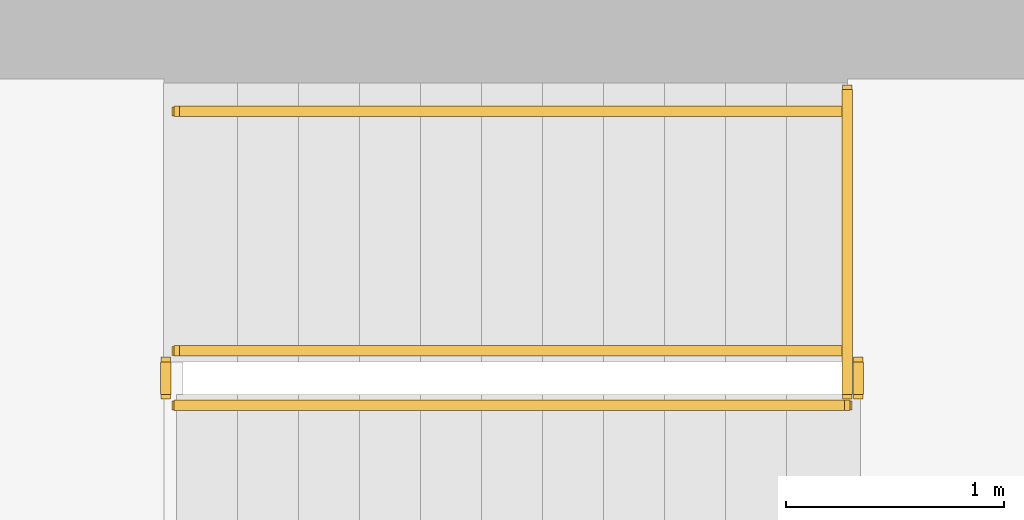
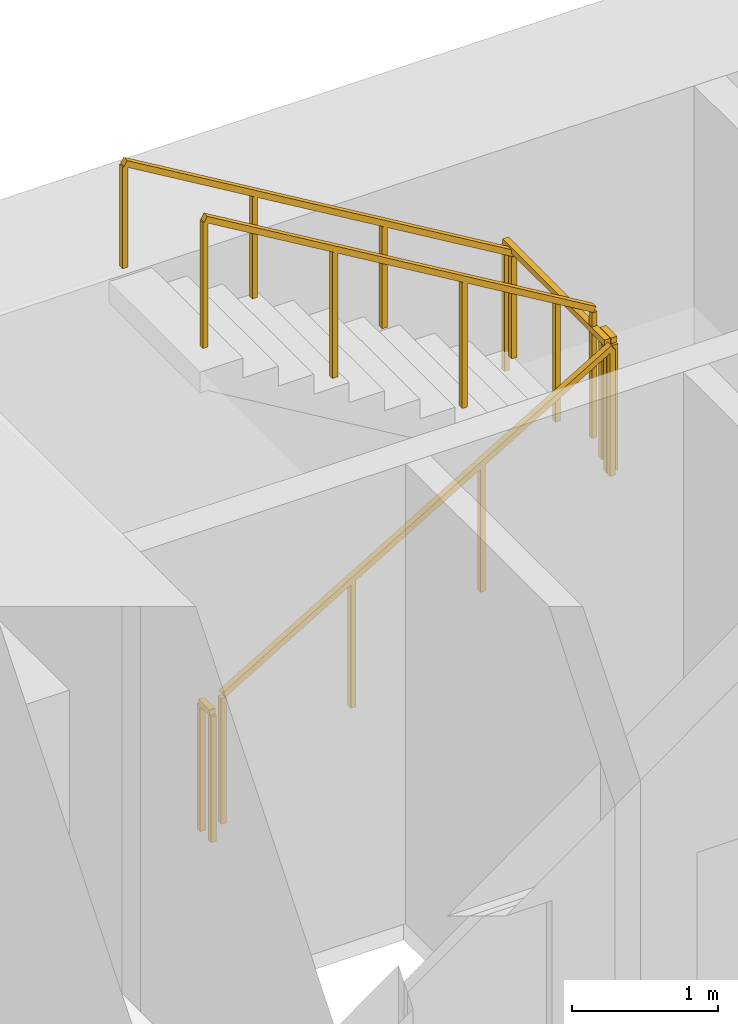
# One storey, part 15 of 16: 6 railings.
"""IFC4 building model written with IfcOpenShell, lengths in metres."""

from ifc_helpers import new_model, si_unit, direction, frame, origin, origin_2d, place, context, subcontext, project, spatial, rectangle, extrude, material, type_object, element, save


model = new_model("IFC4")

# Units and contexts
model_context = context("Model", 3, precision=1e-05, world=origin(), true_north=direction((0.0, 1.0)))
body_context = subcontext(model_context, "Body", "Model", "MODEL_VIEW")
ifc_project = project(units=[si_unit("LENGTHUNIT", "METRE"), si_unit("AREAUNIT", "SQUARE_METRE"), si_unit("VOLUMEUNIT", "CUBIC_METRE"), si_unit("PLANEANGLEUNIT", "RADIAN"), si_unit("MASSUNIT", "GRAM", prefix="KILO")], contexts=[model_context])

# Site, building, storey
site_placement = place(None, origin())
site = spatial("IfcSite", under=ifc_project, at=site_placement, CompositionType="ELEMENT")
building_placement = place(site_placement, origin())
building = spatial("IfcBuilding", under=site, at=building_placement, Name="Sennacour Bend Tower", CompositionType="ELEMENT")
storey_placement = place(building_placement, frame((0.0, 0.0, 99.0)))
storey = spatial("IfcBuildingStorey", under=building, at=storey_placement, Name="L22", CompositionType="ELEMENT", Elevation=99.0)

# Railings
ifc_material = material(Name="Stainless steel", Category="steel")
railing_type_1 = type_object("IfcRailingType", Name="RL-GUARD-1100", PredefinedType="GUARDRAIL", material=ifc_material)
railing_1_placement = place(storey_placement, frame((56.699951171875, 19.85009765625, 0.166748046875)))
element("IfcRailing", 1, at=railing_1_placement, inside=storey, type_object=railing_type_1, Name="L22 SA2 stair guard 1", PredefinedType="GUARDRAIL", context=body_context, shape_type="SweptSolid", body=[
    extrude(rectangle(XDim=0.048095703125, YDim=0.048095703125, at=origin_2d()), frame((0.0, 0.0, 1.076171875), z_axis=(0.859308565015, 0.0, 0.511457515432), x_axis=(0.0, 1.0, 0.0)), (0.0, 0.0, 1.0), 3.58447265625),
    extrude(rectangle(XDim=0.0419921875, YDim=0.0419921875, at=origin_2d()), origin(), (0.0, 0.0, 1.0), 1.052001953125),
    extrude(rectangle(XDim=0.0419921875, YDim=0.0419921875, at=origin_2d()), frame((1.026611328125, 0.0, 0.611083984375)), (0.0, 0.0, 1.0), 1.052001953125),
    extrude(rectangle(XDim=0.0419921875, YDim=0.0419921875, at=origin_2d()), frame((2.053466796875, 0.0, 1.22216796875)), (0.0, 0.0, 1.0), 1.052001953125),
    extrude(rectangle(XDim=0.0419921875, YDim=0.0419921875, at=origin_2d()), frame((3.080078125, 0.0, 1.833251953125)), (0.0, 0.0, 1.0), 1.052001953125),
])
railing_2_placement = place(storey_placement, frame((59.830078125, 19.89990234375, 2.0)))
element("IfcRailing", 2, at=railing_2_placement, inside=storey, type_object=railing_type_1, Name="L22 SA2 stair guard 2", PredefinedType="GUARDRAIL", context=body_context, shape_type="SweptSolid", body=[
    extrude(rectangle(XDim=0.048095703125, YDim=0.048095703125, at=origin_2d()), frame((0.0, 0.0, 1.076171875), z_axis=(0.0, 1.0, 0.0), x_axis=(-1.0, 0.0, 0.0)), (0.0, 0.0, 1.0), 0.150146484375),
    extrude(rectangle(XDim=0.0419921875, YDim=0.0419921875, at=origin_2d()), origin(), (0.0, 0.0, 1.0), 1.052001953125),
    extrude(rectangle(XDim=0.0419921875, YDim=0.0419921875, at=origin_2d()), frame((0.0, 0.150146484375, 0.0)), (0.0, 0.0, 1.0), 1.052001953125),
])
railing_3_placement = place(storey_placement, frame((59.780029296875, 20.10009765625, 2.166748046875)))
element("IfcRailing", 3, at=railing_3_placement, inside=storey, type_object=railing_type_1, Name="L22 SA2 stair guard 4", PredefinedType="GUARDRAIL", context=body_context, shape_type="SweptSolid", body=[
    extrude(rectangle(XDim=0.048095703125, YDim=0.048095703125, at=origin_2d()), frame((0.0, 0.0, 1.076171875), z_axis=(-0.859308565015, 0.0, 0.511457515432), x_axis=(0.0, -1.0, 0.0)), (0.0, 0.0, 1.0), 3.58447265625),
    extrude(rectangle(XDim=0.0419921875, YDim=0.0419921875, at=origin_2d()), origin(), (0.0, 0.0, 1.0), 1.052001953125),
    extrude(rectangle(XDim=0.0419921875, YDim=0.0419921875, at=origin_2d()), frame((-1.026611328125, 0.0, 0.611083984375)), (0.0, 0.0, 1.0), 1.052001953125),
    extrude(rectangle(XDim=0.0419921875, YDim=0.0419921875, at=origin_2d()), frame((-2.053466796875, 0.0, 1.22216796875)), (0.0, 0.0, 1.0), 1.052001953125),
    extrude(rectangle(XDim=0.0419921875, YDim=0.0419921875, at=origin_2d()), frame((-3.080078125, 0.0, 1.833251953125)), (0.0, 0.0, 1.0), 1.052001953125),
])
railing_4_placement = place(storey_placement, frame((56.64990234375, 19.89990234375, 0.0)))
element("IfcRailing", 4, at=railing_4_placement, inside=storey, type_object=railing_type_1, Name="L22 SA2 stair guard 5", PredefinedType="GUARDRAIL", context=body_context, shape_type="SweptSolid", body=[
    extrude(rectangle(XDim=0.048095703125, YDim=0.048095703125, at=origin_2d()), frame((0.0, 0.0, 1.076171875), z_axis=(0.0, 1.0, 0.0), x_axis=(-1.0, 0.0, 0.0)), (0.0, 0.0, 1.0), 0.150146484375),
    extrude(rectangle(XDim=0.0419921875, YDim=0.0419921875, at=origin_2d()), origin(), (0.0, 0.0, 1.0), 1.052001953125),
    extrude(rectangle(XDim=0.0419921875, YDim=0.0419921875, at=origin_2d()), frame((0.0, 0.150146484375, 0.0)), (0.0, 0.0, 1.0), 1.052001953125),
])
railing_5_placement = place(storey_placement, frame((59.780029296875, 19.89990234375, 2.0)))
element("IfcRailing", 5, at=railing_5_placement, inside=storey, type_object=railing_type_1, Name="L22 SA2 landing edge guard 35", PredefinedType="GUARDRAIL", context=body_context, shape_type="SweptSolid", body=[
    extrude(rectangle(XDim=0.048095703125, YDim=0.048095703125, at=origin_2d()), frame((0.0, 0.0, 1.076171875), z_axis=(0.0, 1.0, 0.0), x_axis=(-1.0, 0.0, 0.0)), (0.0, 0.0, 1.0), 1.400146484375),
    extrude(rectangle(XDim=0.0419921875, YDim=0.0419921875, at=origin_2d()), origin(), (0.0, 0.0, 1.0), 1.052001953125),
    extrude(rectangle(XDim=0.0419921875, YDim=0.0419921875, at=origin_2d()), frame((0.0, 0.7001953125, 0.0)), (0.0, 0.0, 1.0), 1.052001953125),
    extrude(rectangle(XDim=0.0419921875, YDim=0.0419921875, at=origin_2d()), frame((0.0, 1.400146484375, 0.0)), (0.0, 0.0, 1.0), 1.052001953125),
])
railing_type_2 = type_object("IfcRailingType", Name="RL-HANDRAIL-900", PredefinedType="HANDRAIL", material=ifc_material)
railing_6_placement = place(storey_placement, frame((59.780029296875, 21.199951171875, 2.166748046875)))
element("IfcRailing", 6, at=railing_6_placement, inside=storey, type_object=railing_type_2, Name="L22 SA2 stair handrail 2", PredefinedType="HANDRAIL", context=body_context, shape_type="SweptSolid", body=[
    extrude(rectangle(XDim=0.048095703125, YDim=0.048095703125, at=origin_2d()), frame((0.0, 0.0, 0.8759765625), z_axis=(-0.859308565015, 0.0, 0.511457515432), x_axis=(0.0, -1.0, 0.0)), (0.0, 0.0, 1.0), 3.58447265625),
    extrude(rectangle(XDim=0.0419921875, YDim=0.0419921875, at=origin_2d()), origin(), (0.0, 0.0, 1.0), 0.851806640625),
    extrude(rectangle(XDim=0.0419921875, YDim=0.0419921875, at=origin_2d()), frame((-1.026611328125, 0.0, 0.611083984375)), (0.0, 0.0, 1.0), 0.851806640625),
    extrude(rectangle(XDim=0.0419921875, YDim=0.0419921875, at=origin_2d()), frame((-2.053466796875, 0.0, 1.22216796875)), (0.0, 0.0, 1.0), 0.851806640625),
    extrude(rectangle(XDim=0.0419921875, YDim=0.0419921875, at=origin_2d()), frame((-3.080078125, 0.0, 1.833251953125)), (0.0, 0.0, 1.0), 0.851806640625),
])

save(model, "model.ifc")
